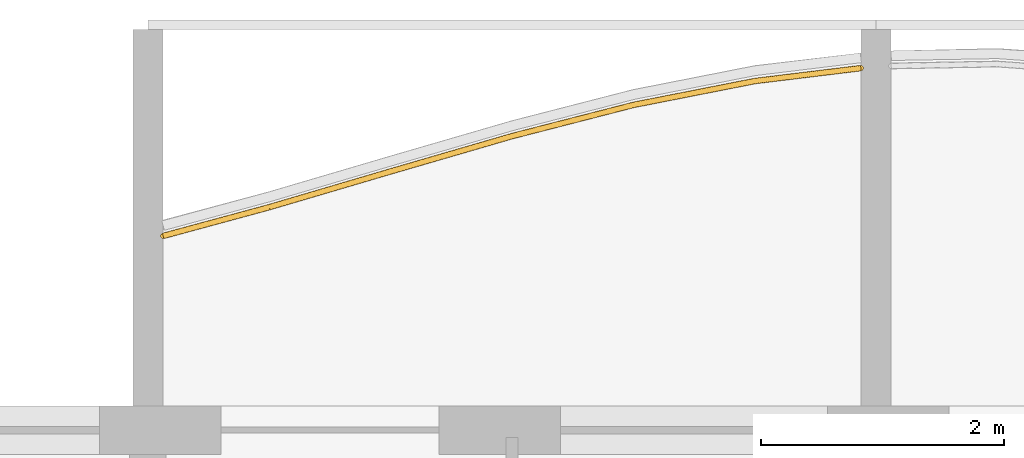
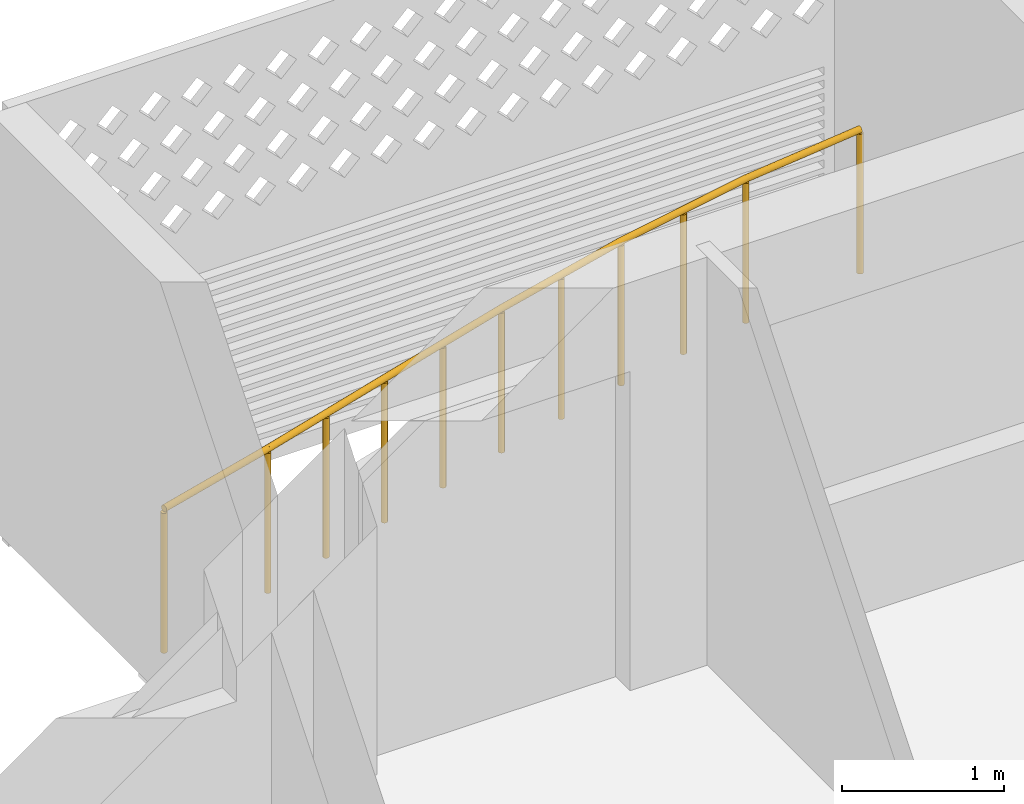
# One storey, part 23 of 32: 1 railing.
"""IFC4 building model written with IfcOpenShell, lengths in metres."""

from ifc_helpers import new_model, si_unit, direction, frame, origin, origin_2d, place, context, subcontext, project, spatial, circle, extrude, material, type_object, element, save


model = new_model("IFC4")

# Units and contexts
model_context = context("Model", 3, precision=1e-05, world=origin(), true_north=direction((0.0, 1.0)))
body_context = subcontext(model_context, "Body", "Model", "MODEL_VIEW")
ifc_project = project(units=[si_unit("LENGTHUNIT", "METRE"), si_unit("AREAUNIT", "SQUARE_METRE"), si_unit("VOLUMEUNIT", "CUBIC_METRE"), si_unit("PLANEANGLEUNIT", "RADIAN"), si_unit("MASSUNIT", "GRAM", prefix="KILO")], contexts=[model_context])

# Site, building, storey
site_placement = place(None, origin())
site = spatial("IfcSite", under=ifc_project, at=site_placement, CompositionType="ELEMENT")
building_placement = place(site_placement, origin())
building = spatial("IfcBuilding", under=site, at=building_placement, Name="Poui Terraces", CompositionType="ELEMENT")
storey_placement = place(building_placement, frame((0.0, 0.0, 152.10009765625)))
storey = spatial("IfcBuildingStorey", under=building, at=storey_placement, Name="L42", CompositionType="ELEMENT", Elevation=152.10009765625)

# Railing
ifc_material = material(Name="Painted steel fretwork", Category="steel")
railing_type = type_object("IfcRailingType", Name="BALCONY GUARD 1100", PredefinedType="GUARDRAIL", material=ifc_material)
railing_placement = place(storey_placement, frame((42.125, 44.00048828125, 0.0)))
element("IfcRailing", 1, at=railing_placement, inside=storey, type_object=railing_type, Name="BALCONY GUARD", PredefinedType="GUARDRAIL", context=body_context, shape_type="SweptSolid", body=[
    extrude(circle(Radius=0.02392578125, at=origin_2d()), frame((0.0, 0.0, 1.076171875), z_axis=(0.965203717149, 0.261499109752, 0.0), x_axis=(-0.261499109752, 0.965203717149, 0.0)), (0.0, 0.0, 1.0), 0.906494140625),
    extrude(circle(Radius=0.02392578125, at=origin_2d()), frame((0.875, 0.237060546875, 1.076171875), z_axis=(0.959219941058, 0.282660758998, 0.0), x_axis=(-0.282660758998, 0.959219941058, 0.0)), (0.0, 0.0, 1.0), 1.04248046875),
    extrude(circle(Radius=0.02392578125, at=origin_2d()), frame((1.875, 0.53173828125, 1.076171875), z_axis=(0.960230728662, 0.279207714316, 0.0), x_axis=(-0.279207714316, 0.960230728662, 0.0)), (0.0, 0.0, 1.0), 1.04150390625),
    extrude(circle(Radius=0.02392578125, at=origin_2d()), frame((2.875, 0.822509765625, 1.076171875), z_axis=(0.968507596014, 0.248984008448, 0.0), x_axis=(-0.248984008448, 0.968507596014, 0.0)), (0.0, 0.0, 1.0), 1.032470703125),
    extrude(circle(Radius=0.02392578125, at=origin_2d()), frame((3.875, 1.07958984375, 1.076171875), z_axis=(0.981184042676, 0.193074789648, 0.0), x_axis=(-0.193074789648, 0.981184042676, 0.0)), (0.0, 0.0, 1.0), 1.019287109375),
    extrude(circle(Radius=0.02392578125, at=origin_2d()), frame((4.875, 1.2763671875, 1.076171875), z_axis=(0.992648312578, 0.121034406416, 0.0), x_axis=(-0.121034406416, 0.992648312578, 0.0)), (0.0, 0.0, 1.0), 0.881591796875),
    extrude(circle(Radius=0.02099609375, at=origin_2d()), origin(), (0.0, 0.0, 1.0), 1.052001953125),
    extrude(circle(Radius=0.02099609375, at=origin_2d()), frame((0.875, 0.237060546875, 0.0)), (0.0, 0.0, 1.0), 1.052001953125),
    extrude(circle(Radius=0.02099609375, at=origin_2d()), frame((1.375, 0.38427734375, 0.0)), (0.0, 0.0, 1.0), 1.052001953125),
    extrude(circle(Radius=0.02099609375, at=origin_2d()), frame((1.875, 0.53173828125, 0.0)), (0.0, 0.0, 1.0), 1.052001953125),
    extrude(circle(Radius=0.02099609375, at=origin_2d()), frame((2.375, 0.67724609375, 0.0)), (0.0, 0.0, 1.0), 1.052001953125),
    extrude(circle(Radius=0.02099609375, at=origin_2d()), frame((2.875, 0.822509765625, 0.0)), (0.0, 0.0, 1.0), 1.052001953125),
    extrude(circle(Radius=0.02099609375, at=origin_2d()), frame((3.375, 0.951171875, 0.0)), (0.0, 0.0, 1.0), 1.052001953125),
    extrude(circle(Radius=0.02099609375, at=origin_2d()), frame((3.875, 1.07958984375, 0.0)), (0.0, 0.0, 1.0), 1.052001953125),
    extrude(circle(Radius=0.02099609375, at=origin_2d()), frame((4.375, 1.177978515625, 0.0)), (0.0, 0.0, 1.0), 1.052001953125),
    extrude(circle(Radius=0.02099609375, at=origin_2d()), frame((4.875, 1.2763671875, 0.0)), (0.0, 0.0, 1.0), 1.052001953125),
    extrude(circle(Radius=0.02099609375, at=origin_2d()), frame((5.75, 1.383056640625, 0.0)), (0.0, 0.0, 1.0), 1.052001953125),
])

save(model, "model.ifc")
